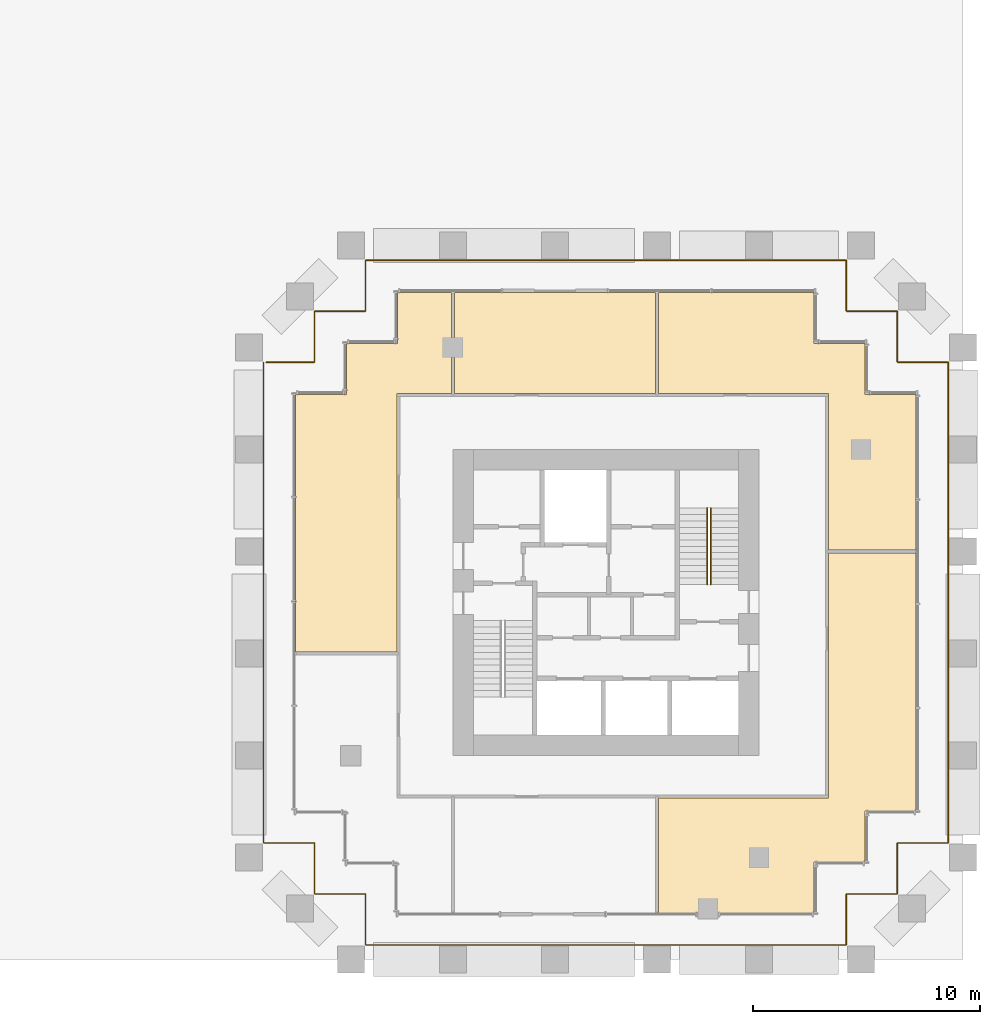
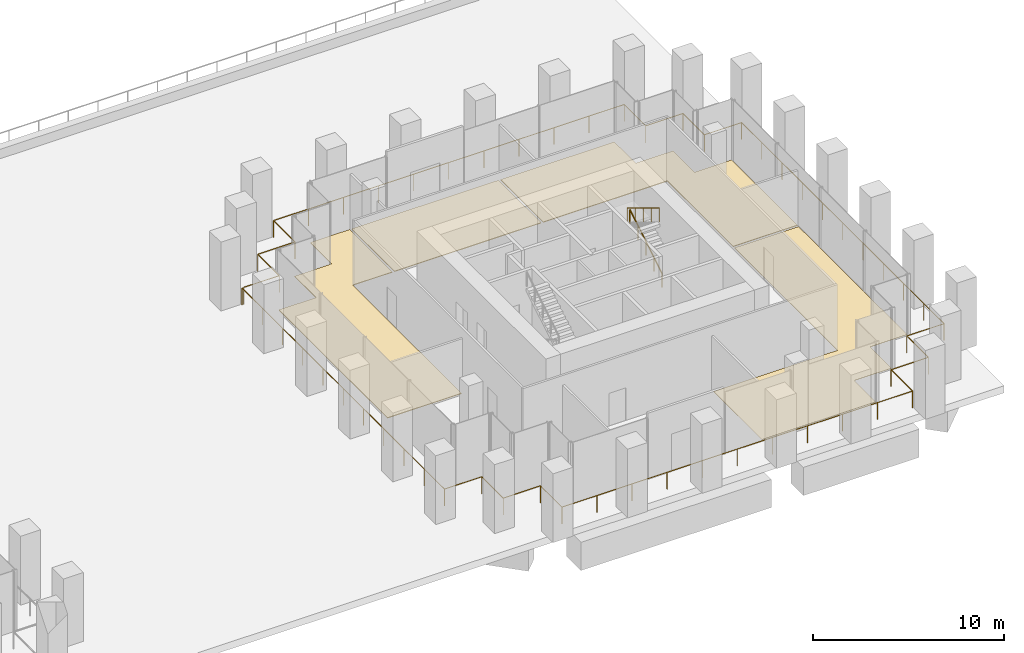
# One storey, part 32 of 32: 4 coverings, 3 railings.
"""IFC4 building model written with IfcOpenShell, lengths in metres."""

from ifc_helpers import new_model, si_unit, direction, frame, origin, origin_2d, place, context, subcontext, project, spatial, polyline, circle, outline, extrude, source, transform, mapped, material, layer, layer_set, type_object, element, save


model = new_model("IFC4")

# Units and contexts
model_context = context("Model", 3, precision=1e-05, world=origin(), true_north=direction((0.0, 1.0)))
body_context = subcontext(model_context, "Body", "Model", "MODEL_VIEW")
ifc_project = project(units=[si_unit("LENGTHUNIT", "METRE"), si_unit("AREAUNIT", "SQUARE_METRE"), si_unit("VOLUMEUNIT", "CUBIC_METRE"), si_unit("PLANEANGLEUNIT", "RADIAN"), si_unit("MASSUNIT", "GRAM", prefix="KILO")], contexts=[model_context])

# Site, building, storey
site_placement = place(None, origin())
site = spatial("IfcSite", under=ifc_project, at=site_placement, CompositionType="ELEMENT")
building_placement = place(site_placement, origin())
building = spatial("IfcBuilding", under=site, at=building_placement, Name="Altepetl Exchange Towers", CompositionType="ELEMENT")
storey_placement = place(building_placement, frame((0.0, 0.0, 21.0)))
storey = spatial("IfcBuildingStorey", under=building, at=storey_placement, Name="L04", CompositionType="ELEMENT", Elevation=21.0)

# Coverings
ifc_material_1 = material(Name="Carpet tile")
ifc_layer_1 = layer(ifc_material_1, 0.02001953125)
ifc_layer_set_1 = layer_set([ifc_layer_1], Name="Carpet tile")
covering_type_1 = type_object("IfcCoveringType", Name="Carpet tile floor", PredefinedType="FLOORING", material=ifc_layer_set_1)
covering_1_placement = place(storey_placement, origin())
element("IfcCovering", 1, at=covering_1_placement, inside=storey, type_object=covering_type_1, Name="Open office floor finish B04.03", PredefinedType="FLOORING", context=body_context, shape_type="SweptSolid", body=[
    extrude(outline(polyline([(123.9375, 44.9375), (120.0625, 44.9375), (120.0625, 34.137451171875), (112.5625, 34.137451171875), (112.5625, 29.0625), (119.4375, 29.0625), (119.4375, 31.3125), (121.6875, 31.3125), (121.6875, 33.5625), (123.9375, 33.5625), (123.9375, 44.9375)])), origin(), (0.0, 0.0, 1.0), 0.02001953125),
])
ifc_material_2 = material(Name="Calcium sulphate access floor panel")
ifc_layer_2 = layer(ifc_material_2, 0.0400390625)
ifc_layer_set_2 = layer_set([ifc_layer_2], Name="Calcium sulphate access floor panel")
covering_type_2 = type_object("IfcCoveringType", Name="Raised access floor panels", PredefinedType="FLOORING", material=ifc_layer_set_2)
covering_2_placement = place(storey_placement, origin())
element("IfcCovering", 2, at=covering_2_placement, inside=storey, type_object=covering_type_2, Name="Trading office floor finish B04.04", PredefinedType="FLOORING", context=body_context, shape_type="SweptSolid", body=[
    extrude(outline(polyline([(112.5625, 56.4375), (112.5625, 51.96240234375), (120.0625, 51.96240234375), (120.0625, 45.0625), (123.9375, 45.0625), (123.9375, 51.9375), (121.6875, 51.9375), (121.6875, 54.1875), (119.4375, 54.1875), (119.4375, 56.4375), (112.5625, 56.4375)])), origin(), (0.0, 0.0, 1.0), 0.0400390625),
])
covering_3_placement = place(storey_placement, origin())
element("IfcCovering", 3, at=covering_3_placement, inside=storey, type_object=covering_type_2, Name="Data room floor finish B04.05", PredefinedType="FLOORING", context=body_context, shape_type="SweptSolid", body=[
    extrude(outline(polyline([(103.5625, 56.4375), (103.5625, 51.96240234375), (112.4375, 51.96240234375), (112.4375, 56.4375), (103.5625, 56.4375)])), origin(), (0.0, 0.0, 1.0), 0.0400390625),
])
covering_4_placement = place(storey_placement, origin())
element("IfcCovering", 4, at=covering_4_placement, inside=storey, type_object=covering_type_2, Name="Broker office floor finish B04.06", PredefinedType="FLOORING", context=body_context, shape_type="SweptSolid", body=[
    extrude(outline(polyline([(101.0625, 54.1875), (98.8125, 54.1875), (98.8125, 51.9375), (96.5625, 51.9375), (96.5625, 40.5625), (101.03759765625, 40.5625), (101.03759765625, 51.96240234375), (103.4375, 51.96240234375), (103.4375, 56.4375), (101.0625, 56.4375), (101.0625, 54.1875)])), origin(), (0.0, 0.0, 1.0), 0.0400390625),
])

# Railings
ifc_material_3 = material(Name="Steel S355", Category="steel")
railing_type_1 = type_object("IfcRailingType", Name="Guard 1100 steel posts and rail", PredefinedType="GUARDRAIL", material=ifc_material_3)
shared_shape_1 = source(origin(), body_context, "Body", "SweptSolid", [
    extrude(circle(Radius=0.02099609375, at=origin_2d()), origin(), (0.0, 0.0, 1.0), 1.052001953125),
])
railing_1_placement = place(storey_placement, frame((95.14990234375, 53.35009765625, 0.0)))
element("IfcRailing", 5, at=railing_1_placement, inside=storey, type_object=railing_type_1, Name="Loggia guard", PredefinedType="GUARDRAIL", context=body_context, shape_type="SweptSolid", body=[
    extrude(circle(Radius=0.02392578125, at=origin_2d()), frame((0.0, 0.0, 1.076171875), z_axis=(0.0, -1.0, 0.0), x_axis=(1.0, 0.0, 0.0)), (0.0, 0.0, 1.0), 21.2001953125),
    extrude(circle(Radius=0.02392578125, at=origin_2d()), frame((0.0, -21.2001953125, 1.076171875), z_axis=(1.0, 0.0, 0.0), x_axis=(0.0, 1.0, 0.0)), (0.0, 0.0, 1.0), 2.25),
    extrude(circle(Radius=0.02392578125, at=origin_2d()), frame((2.25, -21.2001953125, 1.076171875), z_axis=(0.0, -1.0, 0.0), x_axis=(1.0, 0.0, 0.0)), (0.0, 0.0, 1.0), 2.25),
    extrude(circle(Radius=0.02392578125, at=origin_2d()), frame((2.25, -23.4501953125, 1.076171875), z_axis=(1.0, 0.0, 0.0), x_axis=(0.0, 1.0, 0.0)), (0.0, 0.0, 1.0), 2.25),
    extrude(circle(Radius=0.02392578125, at=origin_2d()), frame((4.5, -23.4501953125, 1.076171875), z_axis=(0.0, -1.0, 0.0), x_axis=(1.0, 0.0, 0.0)), (0.0, 0.0, 1.0), 2.25),
    extrude(circle(Radius=0.02392578125, at=origin_2d()), frame((4.5, -25.7001953125, 1.076171875), z_axis=(1.0, 0.0, 0.0), x_axis=(0.0, 1.0, 0.0)), (0.0, 0.0, 1.0), 21.2001953125),
    extrude(circle(Radius=0.02392578125, at=origin_2d()), frame((25.7001953125, -25.7001953125, 1.076171875), z_axis=(0.0, 1.0, 0.0), x_axis=(-1.0, 0.0, 0.0)), (0.0, 0.0, 1.0), 2.25),
    extrude(circle(Radius=0.02392578125, at=origin_2d()), frame((25.7001953125, -23.4501953125, 1.076171875), z_axis=(1.0, 0.0, 0.0), x_axis=(0.0, 1.0, 0.0)), (0.0, 0.0, 1.0), 2.25),
    extrude(circle(Radius=0.02392578125, at=origin_2d()), frame((27.9501953125, -23.4501953125, 1.076171875), z_axis=(0.0, 1.0, 0.0), x_axis=(-1.0, 0.0, 0.0)), (0.0, 0.0, 1.0), 2.25),
    extrude(circle(Radius=0.02392578125, at=origin_2d()), frame((27.9501953125, -21.2001953125, 1.076171875), z_axis=(1.0, 0.0, 0.0), x_axis=(0.0, 1.0, 0.0)), (0.0, 0.0, 1.0), 2.25),
    extrude(circle(Radius=0.02392578125, at=origin_2d()), frame((30.2001953125, -21.2001953125, 1.076171875), z_axis=(0.0, 1.0, 0.0), x_axis=(-1.0, 0.0, 0.0)), (0.0, 0.0, 1.0), 21.2001953125),
    extrude(circle(Radius=0.02392578125, at=origin_2d()), frame((30.2001953125, 0.0, 1.076171875), z_axis=(-1.0, 0.0, 0.0), x_axis=(0.0, -1.0, 0.0)), (0.0, 0.0, 1.0), 2.25),
    extrude(circle(Radius=0.02392578125, at=origin_2d()), frame((27.9501953125, 0.0, 1.076171875), z_axis=(0.0, 1.0, 0.0), x_axis=(-1.0, 0.0, 0.0)), (0.0, 0.0, 1.0), 2.25),
    extrude(circle(Radius=0.02392578125, at=origin_2d()), frame((27.9501953125, 2.25, 1.076171875), z_axis=(-1.0, 0.0, 0.0), x_axis=(0.0, -1.0, 0.0)), (0.0, 0.0, 1.0), 2.25),
    extrude(circle(Radius=0.02392578125, at=origin_2d()), frame((25.7001953125, 2.25, 1.076171875), z_axis=(0.0, 1.0, 0.0), x_axis=(-1.0, 0.0, 0.0)), (0.0, 0.0, 1.0), 2.25),
    extrude(circle(Radius=0.02392578125, at=origin_2d()), frame((25.7001953125, 4.5, 1.076171875), z_axis=(-1.0, 0.0, 0.0), x_axis=(0.0, -1.0, 0.0)), (0.0, 0.0, 1.0), 21.2001953125),
    extrude(circle(Radius=0.02392578125, at=origin_2d()), frame((4.5, 4.5, 1.076171875), z_axis=(0.0, -1.0, 0.0), x_axis=(1.0, 0.0, 0.0)), (0.0, 0.0, 1.0), 2.25),
    extrude(circle(Radius=0.02392578125, at=origin_2d()), frame((4.5, 2.25, 1.076171875), z_axis=(-1.0, 0.0, 0.0), x_axis=(0.0, -1.0, 0.0)), (0.0, 0.0, 1.0), 2.25),
    extrude(circle(Radius=0.02392578125, at=origin_2d()), frame((2.25, 2.25, 1.076171875), z_axis=(0.0, -1.0, 0.0), x_axis=(1.0, 0.0, 0.0)), (0.0, 0.0, 1.0), 2.25),
    extrude(circle(Radius=0.02392578125, at=origin_2d()), frame((2.25, 0.0, 1.076171875), z_axis=(-1.0, 0.0, 0.0), x_axis=(0.0, -1.0, 0.0)), (0.0, 0.0, 1.0), 2.14990234375),
    mapped(shared_shape_1, transform((0.0, 0.0, 0.0))),
    mapped(shared_shape_1, transform((0.0, -2.1201171875, 0.0))),
    mapped(shared_shape_1, transform((0.0, -4.239990234375, 0.0))),
    mapped(shared_shape_1, transform((0.0, -6.360107421875, 0.0))),
    mapped(shared_shape_1, transform((0.0, -8.47998046875, 0.0))),
    mapped(shared_shape_1, transform((0.0, -10.60009765625, 0.0))),
    mapped(shared_shape_1, transform((0.0, -12.72021484375, 0.0))),
    mapped(shared_shape_1, transform((0.0, -14.840087890625, 0.0))),
    mapped(shared_shape_1, transform((0.0, -16.960205078125, 0.0))),
    mapped(shared_shape_1, transform((0.0, -19.080078125, 0.0))),
    mapped(shared_shape_1, transform((0.0, -21.2001953125, 0.0))),
    mapped(shared_shape_1, transform((2.25, -21.2001953125, 0.0))),
    mapped(shared_shape_1, transform((2.25, -23.4501953125, 0.0))),
    mapped(shared_shape_1, transform((4.5, -23.4501953125, 0.0))),
    mapped(shared_shape_1, transform((4.5, -25.7001953125, 0.0))),
    mapped(shared_shape_1, transform((6.6201171875, -25.7001953125, 0.0))),
    mapped(shared_shape_1, transform((8.739990234375, -25.7001953125, 0.0))),
    mapped(shared_shape_1, transform((10.860107421875, -25.7001953125, 0.0))),
    mapped(shared_shape_1, transform((12.97998046875, -25.7001953125, 0.0))),
    mapped(shared_shape_1, transform((15.10009765625, -25.7001953125, 0.0))),
    mapped(shared_shape_1, transform((17.22021484375, -25.7001953125, 0.0))),
    mapped(shared_shape_1, transform((19.340087890625, -25.7001953125, 0.0))),
    mapped(shared_shape_1, transform((21.460205078125, -25.7001953125, 0.0))),
    mapped(shared_shape_1, transform((23.580078125, -25.7001953125, 0.0))),
    mapped(shared_shape_1, transform((25.7001953125, -25.7001953125, 0.0))),
    mapped(shared_shape_1, transform((25.7001953125, -23.4501953125, 0.0))),
    mapped(shared_shape_1, transform((27.9501953125, -23.4501953125, 0.0))),
    mapped(shared_shape_1, transform((27.9501953125, -21.2001953125, 0.0))),
    mapped(shared_shape_1, transform((30.2001953125, -21.2001953125, 0.0))),
    mapped(shared_shape_1, transform((30.2001953125, -19.080078125, 0.0))),
    mapped(shared_shape_1, transform((30.2001953125, -16.960205078125, 0.0))),
    mapped(shared_shape_1, transform((30.2001953125, -14.840087890625, 0.0))),
    mapped(shared_shape_1, transform((30.2001953125, -12.72021484375, 0.0))),
    mapped(shared_shape_1, transform((30.2001953125, -10.60009765625, 0.0))),
    mapped(shared_shape_1, transform((30.2001953125, -8.47998046875, 0.0))),
    mapped(shared_shape_1, transform((30.2001953125, -6.360107421875, 0.0))),
    mapped(shared_shape_1, transform((30.2001953125, -4.239990234375, 0.0))),
    mapped(shared_shape_1, transform((30.2001953125, -2.1201171875, 0.0))),
    mapped(shared_shape_1, transform((30.2001953125, 0.0, 0.0))),
    mapped(shared_shape_1, transform((27.9501953125, 0.0, 0.0))),
    mapped(shared_shape_1, transform((27.9501953125, 2.25, 0.0))),
    mapped(shared_shape_1, transform((25.7001953125, 2.25, 0.0))),
    mapped(shared_shape_1, transform((25.7001953125, 4.5, 0.0))),
    mapped(shared_shape_1, transform((23.580078125, 4.5, 0.0))),
    mapped(shared_shape_1, transform((21.460205078125, 4.5, 0.0))),
    mapped(shared_shape_1, transform((19.340087890625, 4.5, 0.0))),
    mapped(shared_shape_1, transform((17.22021484375, 4.5, 0.0))),
    mapped(shared_shape_1, transform((15.10009765625, 4.5, 0.0))),
    mapped(shared_shape_1, transform((12.97998046875, 4.5, 0.0))),
    mapped(shared_shape_1, transform((10.860107421875, 4.5, 0.0))),
    mapped(shared_shape_1, transform((8.739990234375, 4.5, 0.0))),
    mapped(shared_shape_1, transform((6.6201171875, 4.5, 0.0))),
    mapped(shared_shape_1, transform((4.5, 4.5, 0.0))),
    mapped(shared_shape_1, transform((4.5, 2.25, 0.0))),
    mapped(shared_shape_1, transform((2.25, 2.25, 0.0))),
    mapped(shared_shape_1, transform((2.25, 0.0, 0.0))),
    mapped(shared_shape_1, transform((0.10009765625, 0.0, 0.0))),
])
ifc_material_4 = material(Name="Steel", Category="steel")
railing_type_2 = type_object("IfcRailingType", Name="Stair handrail 50 steel tube", PredefinedType="HANDRAIL", material=ifc_material_4)
shared_shape_2 = source(origin(), body_context, "Body", "SweptSolid", [
    extrude(circle(Radius=0.02099609375, at=origin_2d()), origin(), (0.0, 0.0, 1.0), 0.851806640625),
])
railing_2_placement = place(storey_placement, frame((114.8798828125, 43.550048828125, 0.169189453125)))
element("IfcRailing", 6, at=railing_2_placement, inside=storey, type_object=railing_type_2, Name="Stair handrail", PredefinedType="HANDRAIL", context=body_context, shape_type="SweptSolid", body=[
    extrude(circle(Radius=0.02392578125, at=origin_2d()), frame((0.0, 0.0, 0.8759765625), z_axis=(0.0, 0.855820338506, 0.51727318527), x_axis=(-1.0, 0.0, 0.0)), (0.0, 0.0, 1.0), 3.92578125),
    mapped(shared_shape_2, transform((0.0, 0.0, 0.0))),
    mapped(shared_shape_2, transform((0.0, 0.83984375, 0.5078125))),
    mapped(shared_shape_2, transform((0.0, 1.679931640625, 1.015380859375))),
    mapped(shared_shape_2, transform((0.0, 2.52001953125, 1.52294921875))),
    mapped(shared_shape_2, transform((0.0, 3.35986328125, 2.03076171875))),
])
railing_3_placement = place(storey_placement, frame((114.719970703125, 46.909912109375, 2.369140625)))
element("IfcRailing", 7, at=railing_3_placement, inside=storey, type_object=railing_type_2, Name="Stair handrail", PredefinedType="HANDRAIL", context=body_context, shape_type="SweptSolid", body=[
    extrude(circle(Radius=0.02392578125, at=origin_2d()), frame((0.0, 0.0, 0.8759765625), z_axis=(0.0, -0.855820338506, 0.51727318527), x_axis=(1.0, 0.0, 0.0)), (0.0, 0.0, 1.0), 3.92578125),
    mapped(shared_shape_2, transform((0.0, 0.0, 0.0))),
    mapped(shared_shape_2, transform((0.0, -0.83984375, 0.5078125))),
    mapped(shared_shape_2, transform((0.0, -1.679931640625, 1.015380859375))),
    mapped(shared_shape_2, transform((0.0, -2.52001953125, 1.52294921875))),
    mapped(shared_shape_2, transform((0.0, -3.35986328125, 2.03076171875))),
])

save(model, "model.ifc")
